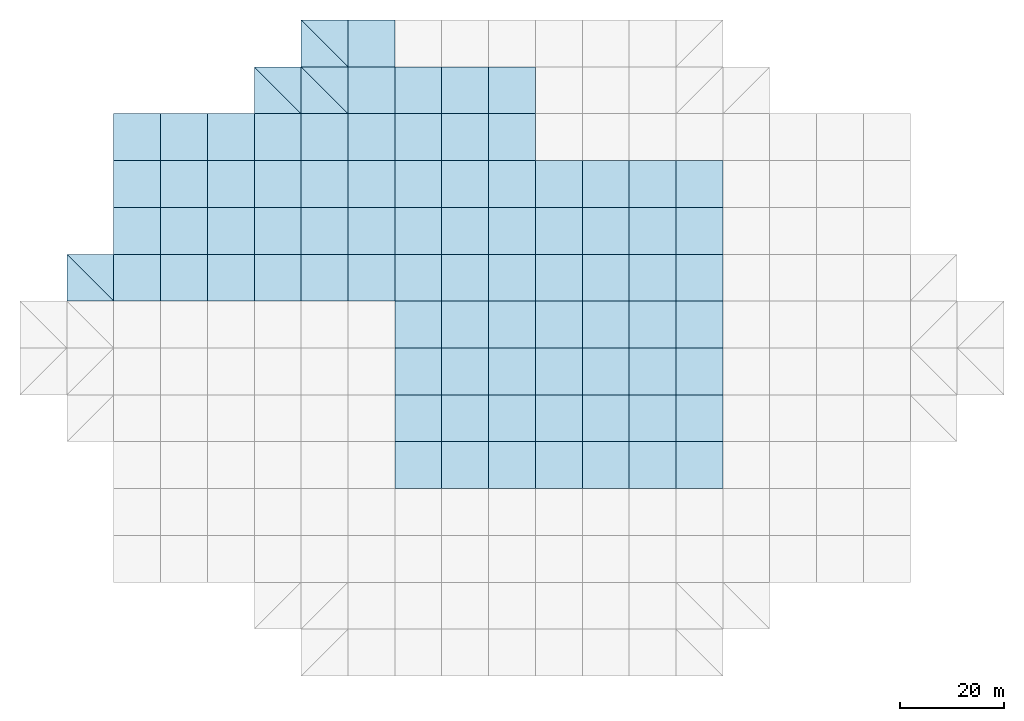
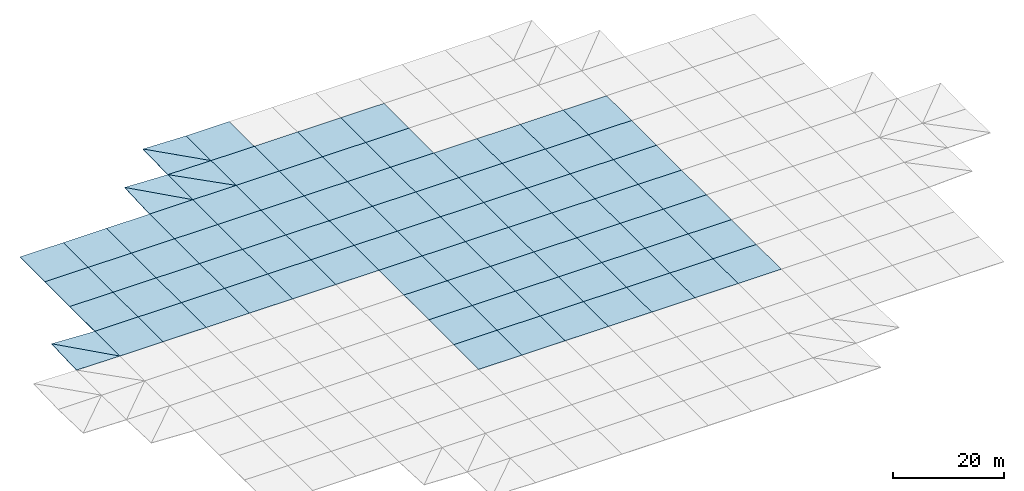
# One storey, part 2 of 3: 89 slabs.
"""IFC4 building model written with IfcOpenShell, lengths in metres."""

from ifc_helpers import new_model, si_unit, direction, frame, origin, place, context, subcontext, project, spatial, polyline, outline, extrude, material, layer, layer_set, type_object, element, save


model = new_model("IFC4")

# Units and contexts
model_context = context("Model", 3, precision=1e-05, world=origin(), true_north=direction((0.0, 1.0)))
body_context = subcontext(model_context, "Body", "Model", "MODEL_VIEW")
ifc_project = project(units=[si_unit("LENGTHUNIT", "METRE"), si_unit("AREAUNIT", "SQUARE_METRE"), si_unit("VOLUMEUNIT", "CUBIC_METRE"), si_unit("PLANEANGLEUNIT", "RADIAN"), si_unit("MASSUNIT", "GRAM", prefix="KILO")], contexts=[model_context])

# Site, building, storey
site_placement = place(None, origin())
site = spatial("IfcSite", under=ifc_project, at=site_placement, CompositionType="ELEMENT")
building_placement = place(site_placement, origin())
building = spatial("IfcBuilding", under=site, at=building_placement, Name="Opaline Strait Convention Centre", CompositionType="ELEMENT")
storey_placement = place(building_placement, frame((0.0, 0.0, 29.8798828125)))
storey = spatial("IfcBuildingStorey", under=building, at=storey_placement, Name="Roof Exhibition Block", CompositionType="ELEMENT", Elevation=29.8798828125)

# Slabs
ifc_material = material(Name="Steel Q235-B insulated roof panel", Category="steel")
ifc_layer = layer(ifc_material, 0.1201171875)
ifc_layer_set = layer_set([ifc_layer], Name="Steel Q235-B insulated roof panel")
slab_type = type_object("IfcSlabType", Name="Insulated roof panel 120 steel Q235B facings", PredefinedType="ROOF", material=ifc_layer_set)
slab_1_placement = place(storey_placement, origin())
element("IfcSlab", 1, at=slab_1_placement, inside=storey, type_object=slab_type, Name="EXB-RF-D-8-4", PredefinedType="ROOF", context=body_context, shape_type="SweptSolid", body=[
    extrude(outline(polyline([(157.5, 76.5), (166.5, 76.5), (166.5, 85.5), (157.5, 85.5), (157.5, 76.5)])), origin(), (0.0, 0.0, 1.0), 0.1201171875),
])
slab_2_placement = place(storey_placement, origin())
element("IfcSlab", 2, at=slab_2_placement, inside=storey, type_object=slab_type, Name="EXB-RF-D-9-4", PredefinedType="ROOF", context=body_context, shape_type="SweptSolid", body=[
    extrude(outline(polyline([(166.5, 76.5), (175.5, 76.5), (175.5, 85.5), (166.5, 85.5), (166.5, 76.5)])), origin(), (0.0, 0.0, 1.0), 0.1201171875),
])
slab_3_placement = place(storey_placement, origin())
element("IfcSlab", 3, at=slab_3_placement, inside=storey, type_object=slab_type, Name="EXB-RF-D-10-4", PredefinedType="ROOF", context=body_context, shape_type="SweptSolid", body=[
    extrude(outline(polyline([(175.5, 76.5), (184.5, 76.5), (184.5, 85.5), (175.5, 85.5), (175.5, 76.5)])), origin(), (0.0, 0.0, 1.0), 0.1201171875),
])
slab_4_placement = place(storey_placement, origin())
element("IfcSlab", 4, at=slab_4_placement, inside=storey, type_object=slab_type, Name="EXB-RF-D-11-4", PredefinedType="ROOF", context=body_context, shape_type="SweptSolid", body=[
    extrude(outline(polyline([(184.5, 76.5), (193.5, 76.5), (193.5, 85.5), (184.5, 85.5), (184.5, 76.5)])), origin(), (0.0, 0.0, 1.0), 0.1201171875),
])
slab_5_placement = place(storey_placement, origin())
element("IfcSlab", 5, at=slab_5_placement, inside=storey, type_object=slab_type, Name="EXB-RF-D-12-4", PredefinedType="ROOF", context=body_context, shape_type="SweptSolid", body=[
    extrude(outline(polyline([(193.5, 76.5), (202.5, 76.5), (202.5, 85.5), (193.5, 85.5), (193.5, 76.5)])), origin(), (0.0, 0.0, 1.0), 0.1201171875),
])
slab_6_placement = place(storey_placement, origin())
element("IfcSlab", 6, at=slab_6_placement, inside=storey, type_object=slab_type, Name="EXB-RF-D-13-4", PredefinedType="ROOF", context=body_context, shape_type="SweptSolid", body=[
    extrude(outline(polyline([(202.5, 76.5), (211.5, 76.5), (211.5, 85.5), (202.5, 85.5), (202.5, 76.5)])), origin(), (0.0, 0.0, 1.0), 0.1201171875),
])
slab_7_placement = place(storey_placement, origin())
element("IfcSlab", 7, at=slab_7_placement, inside=storey, type_object=slab_type, Name="EXB-RF-D-14-4", PredefinedType="ROOF", context=body_context, shape_type="SweptSolid", body=[
    extrude(outline(polyline([(211.5, 76.5), (220.5, 76.5), (220.5, 85.5), (211.5, 85.5), (211.5, 76.5)])), origin(), (0.0, 0.0, 1.0), 0.1201171875),
])
slab_8_placement = place(storey_placement, origin())
element("IfcSlab", 8, at=slab_8_placement, inside=storey, type_object=slab_type, Name="EXB-RF-D-8-5", PredefinedType="ROOF", context=body_context, shape_type="SweptSolid", body=[
    extrude(outline(polyline([(157.5, 85.5), (166.5, 85.5), (166.5, 94.5), (157.5, 94.5), (157.5, 85.5)])), origin(), (0.0, 0.0, 1.0), 0.1201171875),
])
slab_9_placement = place(storey_placement, origin())
element("IfcSlab", 9, at=slab_9_placement, inside=storey, type_object=slab_type, Name="EXB-RF-D-9-5", PredefinedType="ROOF", context=body_context, shape_type="SweptSolid", body=[
    extrude(outline(polyline([(166.5, 85.5), (175.5, 85.5), (175.5, 94.5), (166.5, 94.5), (166.5, 85.5)])), origin(), (0.0, 0.0, 1.0), 0.1201171875),
])
slab_10_placement = place(storey_placement, origin())
element("IfcSlab", 10, at=slab_10_placement, inside=storey, type_object=slab_type, Name="EXB-RF-D-10-5", PredefinedType="ROOF", context=body_context, shape_type="SweptSolid", body=[
    extrude(outline(polyline([(175.5, 85.5), (184.5, 85.5), (184.5, 94.5), (175.5, 94.5), (175.5, 85.5)])), origin(), (0.0, 0.0, 1.0), 0.1201171875),
])
slab_11_placement = place(storey_placement, origin())
element("IfcSlab", 11, at=slab_11_placement, inside=storey, type_object=slab_type, Name="EXB-RF-D-11-5", PredefinedType="ROOF", context=body_context, shape_type="SweptSolid", body=[
    extrude(outline(polyline([(184.5, 85.5), (193.5, 85.5), (193.5, 94.5), (184.5, 94.5), (184.5, 85.5)])), origin(), (0.0, 0.0, 1.0), 0.1201171875),
])
slab_12_placement = place(storey_placement, origin())
element("IfcSlab", 12, at=slab_12_placement, inside=storey, type_object=slab_type, Name="EXB-RF-D-12-5", PredefinedType="ROOF", context=body_context, shape_type="SweptSolid", body=[
    extrude(outline(polyline([(193.5, 85.5), (202.5, 85.5), (202.5, 94.5), (193.5, 94.5), (193.5, 85.5)])), origin(), (0.0, 0.0, 1.0), 0.1201171875),
])
slab_13_placement = place(storey_placement, origin())
element("IfcSlab", 13, at=slab_13_placement, inside=storey, type_object=slab_type, Name="EXB-RF-D-13-5", PredefinedType="ROOF", context=body_context, shape_type="SweptSolid", body=[
    extrude(outline(polyline([(202.5, 85.5), (211.5, 85.5), (211.5, 94.5), (202.5, 94.5), (202.5, 85.5)])), origin(), (0.0, 0.0, 1.0), 0.1201171875),
])
slab_14_placement = place(storey_placement, origin())
element("IfcSlab", 14, at=slab_14_placement, inside=storey, type_object=slab_type, Name="EXB-RF-D-14-5", PredefinedType="ROOF", context=body_context, shape_type="SweptSolid", body=[
    extrude(outline(polyline([(211.5, 85.5), (220.5, 85.5), (220.5, 94.5), (211.5, 94.5), (211.5, 85.5)])), origin(), (0.0, 0.0, 1.0), 0.1201171875),
])
slab_15_placement = place(storey_placement, origin())
element("IfcSlab", 15, at=slab_15_placement, inside=storey, type_object=slab_type, Name="EXB-RF-D-8-6", PredefinedType="ROOF", context=body_context, shape_type="SweptSolid", body=[
    extrude(outline(polyline([(157.5, 94.5), (166.5, 94.5), (166.5, 103.5), (157.5, 103.5), (157.5, 94.5)])), origin(), (0.0, 0.0, 1.0), 0.1201171875),
])
slab_16_placement = place(storey_placement, origin())
element("IfcSlab", 16, at=slab_16_placement, inside=storey, type_object=slab_type, Name="EXB-RF-D-9-6", PredefinedType="ROOF", context=body_context, shape_type="SweptSolid", body=[
    extrude(outline(polyline([(166.5, 94.5), (175.5, 94.5), (175.5, 103.5), (166.5, 103.5), (166.5, 94.5)])), origin(), (0.0, 0.0, 1.0), 0.1201171875),
])
slab_17_placement = place(storey_placement, origin())
element("IfcSlab", 17, at=slab_17_placement, inside=storey, type_object=slab_type, Name="EXB-RF-D-10-6", PredefinedType="ROOF", context=body_context, shape_type="SweptSolid", body=[
    extrude(outline(polyline([(175.5, 94.5), (184.5, 94.5), (184.5, 103.5), (175.5, 103.5), (175.5, 94.5)])), origin(), (0.0, 0.0, 1.0), 0.1201171875),
])
slab_18_placement = place(storey_placement, origin())
element("IfcSlab", 18, at=slab_18_placement, inside=storey, type_object=slab_type, Name="EXB-RF-D-11-6", PredefinedType="ROOF", context=body_context, shape_type="SweptSolid", body=[
    extrude(outline(polyline([(184.5, 94.5), (193.5, 94.5), (193.5, 103.5), (184.5, 103.5), (184.5, 94.5)])), origin(), (0.0, 0.0, 1.0), 0.1201171875),
])
slab_19_placement = place(storey_placement, origin())
element("IfcSlab", 19, at=slab_19_placement, inside=storey, type_object=slab_type, Name="EXB-RF-D-12-6", PredefinedType="ROOF", context=body_context, shape_type="SweptSolid", body=[
    extrude(outline(polyline([(193.5, 94.5), (202.5, 94.5), (202.5, 103.5), (193.5, 103.5), (193.5, 94.5)])), origin(), (0.0, 0.0, 1.0), 0.1201171875),
])
slab_20_placement = place(storey_placement, origin())
element("IfcSlab", 20, at=slab_20_placement, inside=storey, type_object=slab_type, Name="EXB-RF-D-13-6", PredefinedType="ROOF", context=body_context, shape_type="SweptSolid", body=[
    extrude(outline(polyline([(202.5, 94.5), (211.5, 94.5), (211.5, 103.5), (202.5, 103.5), (202.5, 94.5)])), origin(), (0.0, 0.0, 1.0), 0.1201171875),
])
slab_21_placement = place(storey_placement, origin())
element("IfcSlab", 21, at=slab_21_placement, inside=storey, type_object=slab_type, Name="EXB-RF-D-14-6", PredefinedType="ROOF", context=body_context, shape_type="SweptSolid", body=[
    extrude(outline(polyline([(211.5, 94.5), (220.5, 94.5), (220.5, 103.5), (211.5, 103.5), (211.5, 94.5)])), origin(), (0.0, 0.0, 1.0), 0.1201171875),
])
slab_22_placement = place(storey_placement, origin())
element("IfcSlab", 22, at=slab_22_placement, inside=storey, type_object=slab_type, Name="EXB-RF-D-8-7", PredefinedType="ROOF", context=body_context, shape_type="SweptSolid", body=[
    extrude(outline(polyline([(157.5, 103.5), (166.5, 103.5), (166.5, 112.5), (157.5, 112.5), (157.5, 103.5)])), origin(), (0.0, 0.0, 1.0), 0.1201171875),
])
slab_23_placement = place(storey_placement, origin())
element("IfcSlab", 23, at=slab_23_placement, inside=storey, type_object=slab_type, Name="EXB-RF-D-9-7", PredefinedType="ROOF", context=body_context, shape_type="SweptSolid", body=[
    extrude(outline(polyline([(166.5, 103.5), (175.5, 103.5), (175.5, 112.5), (166.5, 112.5), (166.5, 103.5)])), origin(), (0.0, 0.0, 1.0), 0.1201171875),
])
slab_24_placement = place(storey_placement, origin())
element("IfcSlab", 24, at=slab_24_placement, inside=storey, type_object=slab_type, Name="EXB-RF-D-10-7", PredefinedType="ROOF", context=body_context, shape_type="SweptSolid", body=[
    extrude(outline(polyline([(175.5, 103.5), (184.5, 103.5), (184.5, 112.5), (175.5, 112.5), (175.5, 103.5)])), origin(), (0.0, 0.0, 1.0), 0.1201171875),
])
slab_25_placement = place(storey_placement, origin())
element("IfcSlab", 25, at=slab_25_placement, inside=storey, type_object=slab_type, Name="EXB-RF-D-11-7", PredefinedType="ROOF", context=body_context, shape_type="SweptSolid", body=[
    extrude(outline(polyline([(184.5, 103.5), (193.5, 103.5), (193.5, 112.5), (184.5, 112.5), (184.5, 103.5)])), origin(), (0.0, 0.0, 1.0), 0.1201171875),
])
slab_26_placement = place(storey_placement, origin())
element("IfcSlab", 26, at=slab_26_placement, inside=storey, type_object=slab_type, Name="EXB-RF-D-12-7", PredefinedType="ROOF", context=body_context, shape_type="SweptSolid", body=[
    extrude(outline(polyline([(193.5, 103.5), (202.5, 103.5), (202.5, 112.5), (193.5, 112.5), (193.5, 103.5)])), origin(), (0.0, 0.0, 1.0), 0.1201171875),
])
slab_27_placement = place(storey_placement, origin())
element("IfcSlab", 27, at=slab_27_placement, inside=storey, type_object=slab_type, Name="EXB-RF-D-13-7", PredefinedType="ROOF", context=body_context, shape_type="SweptSolid", body=[
    extrude(outline(polyline([(202.5, 103.5), (211.5, 103.5), (211.5, 112.5), (202.5, 112.5), (202.5, 103.5)])), origin(), (0.0, 0.0, 1.0), 0.1201171875),
])
slab_28_placement = place(storey_placement, origin())
element("IfcSlab", 28, at=slab_28_placement, inside=storey, type_object=slab_type, Name="EXB-RF-D-14-7", PredefinedType="ROOF", context=body_context, shape_type="SweptSolid", body=[
    extrude(outline(polyline([(211.5, 103.5), (220.5, 103.5), (220.5, 112.5), (211.5, 112.5), (211.5, 103.5)])), origin(), (0.0, 0.0, 1.0), 0.1201171875),
])
slab_29_placement = place(storey_placement, frame((103.5, 112.5, 0.12060546875), z_axis=(0.044606164642, 0.0, 0.999004649677), x_axis=(0.0, 1.0, 0.0)))
element("IfcSlab", 29, at=slab_29_placement, inside=storey, type_object=slab_type, Name="EXB-RF-D-1-8a", PredefinedType="ROOF", context=body_context, shape_type="SweptSolid", body=[
    extrude(outline(polyline([(0.0, 0.0), (9.0, 0.0), (9.0, 9.008967078292844), (0.0, 0.0)])), origin(), (0.0, 0.0, -1.0), 0.1201171875),
])
slab_30_placement = place(storey_placement, frame((94.5, 112.5, 0.185791015625), z_axis=(0.00726469968, -0.037353567758, 0.999275705256), x_axis=(0.99997357485, 0.0, -0.007269773168)))
element("IfcSlab", 30, at=slab_30_placement, inside=storey, type_object=slab_type, Name="EXB-RF-D-1-8b", PredefinedType="ROOF", context=body_context, shape_type="SweptSolid", body=[
    extrude(outline(polyline([(0.0, 0.0), (9.000237832635666, 0.0), (-0.002445739117505599, 9.00628537881461), (0.0, 0.0)])), origin(), (0.0, 0.0, -1.0), 0.1201171875),
])
slab_31_placement = place(storey_placement, origin())
element("IfcSlab", 31, at=slab_31_placement, inside=storey, type_object=slab_type, Name="EXB-RF-D-2-8", PredefinedType="ROOF", context=body_context, shape_type="SweptSolid", body=[
    extrude(outline(polyline([(103.5, 112.5), (112.5, 112.5), (112.5, 121.5), (103.5, 121.5), (103.5, 112.5)])), origin(), (0.0, 0.0, 1.0), 0.1201171875),
])
slab_32_placement = place(storey_placement, origin())
element("IfcSlab", 32, at=slab_32_placement, inside=storey, type_object=slab_type, Name="EXB-RF-D-3-8", PredefinedType="ROOF", context=body_context, shape_type="SweptSolid", body=[
    extrude(outline(polyline([(112.5, 112.5), (121.5, 112.5), (121.5, 121.5), (112.5, 121.5), (112.5, 112.5)])), origin(), (0.0, 0.0, 1.0), 0.1201171875),
])
slab_33_placement = place(storey_placement, origin())
element("IfcSlab", 33, at=slab_33_placement, inside=storey, type_object=slab_type, Name="EXB-RF-D-4-8", PredefinedType="ROOF", context=body_context, shape_type="SweptSolid", body=[
    extrude(outline(polyline([(121.5, 112.5), (130.5, 112.5), (130.5, 121.5), (121.5, 121.5), (121.5, 112.5)])), origin(), (0.0, 0.0, 1.0), 0.1201171875),
])
slab_34_placement = place(storey_placement, origin())
element("IfcSlab", 34, at=slab_34_placement, inside=storey, type_object=slab_type, Name="EXB-RF-D-5-8", PredefinedType="ROOF", context=body_context, shape_type="SweptSolid", body=[
    extrude(outline(polyline([(130.5, 112.5), (139.5, 112.5), (139.5, 121.5), (130.5, 121.5), (130.5, 112.5)])), origin(), (0.0, 0.0, 1.0), 0.1201171875),
])
slab_35_placement = place(storey_placement, origin())
element("IfcSlab", 35, at=slab_35_placement, inside=storey, type_object=slab_type, Name="EXB-RF-D-6-8", PredefinedType="ROOF", context=body_context, shape_type="SweptSolid", body=[
    extrude(outline(polyline([(139.5, 112.5), (148.5, 112.5), (148.5, 121.5), (139.5, 121.5), (139.5, 112.5)])), origin(), (0.0, 0.0, 1.0), 0.1201171875),
])
slab_36_placement = place(storey_placement, origin())
element("IfcSlab", 36, at=slab_36_placement, inside=storey, type_object=slab_type, Name="EXB-RF-D-7-8", PredefinedType="ROOF", context=body_context, shape_type="SweptSolid", body=[
    extrude(outline(polyline([(148.5, 112.5), (157.5, 112.5), (157.5, 121.5), (148.5, 121.5), (148.5, 112.5)])), origin(), (0.0, 0.0, 1.0), 0.1201171875),
])
slab_37_placement = place(storey_placement, origin())
element("IfcSlab", 37, at=slab_37_placement, inside=storey, type_object=slab_type, Name="EXB-RF-D-8-8", PredefinedType="ROOF", context=body_context, shape_type="SweptSolid", body=[
    extrude(outline(polyline([(157.5, 112.5), (166.5, 112.5), (166.5, 121.5), (157.5, 121.5), (157.5, 112.5)])), origin(), (0.0, 0.0, 1.0), 0.1201171875),
])
slab_38_placement = place(storey_placement, origin())
element("IfcSlab", 38, at=slab_38_placement, inside=storey, type_object=slab_type, Name="EXB-RF-D-9-8", PredefinedType="ROOF", context=body_context, shape_type="SweptSolid", body=[
    extrude(outline(polyline([(166.5, 112.5), (175.5, 112.5), (175.5, 121.5), (166.5, 121.5), (166.5, 112.5)])), origin(), (0.0, 0.0, 1.0), 0.1201171875),
])
slab_39_placement = place(storey_placement, origin())
element("IfcSlab", 39, at=slab_39_placement, inside=storey, type_object=slab_type, Name="EXB-RF-D-10-8", PredefinedType="ROOF", context=body_context, shape_type="SweptSolid", body=[
    extrude(outline(polyline([(175.5, 112.5), (184.5, 112.5), (184.5, 121.5), (175.5, 121.5), (175.5, 112.5)])), origin(), (0.0, 0.0, 1.0), 0.1201171875),
])
slab_40_placement = place(storey_placement, origin())
element("IfcSlab", 40, at=slab_40_placement, inside=storey, type_object=slab_type, Name="EXB-RF-D-11-8", PredefinedType="ROOF", context=body_context, shape_type="SweptSolid", body=[
    extrude(outline(polyline([(184.5, 112.5), (193.5, 112.5), (193.5, 121.5), (184.5, 121.5), (184.5, 112.5)])), origin(), (0.0, 0.0, 1.0), 0.1201171875),
])
slab_41_placement = place(storey_placement, origin())
element("IfcSlab", 41, at=slab_41_placement, inside=storey, type_object=slab_type, Name="EXB-RF-D-12-8", PredefinedType="ROOF", context=body_context, shape_type="SweptSolid", body=[
    extrude(outline(polyline([(193.5, 112.5), (202.5, 112.5), (202.5, 121.5), (193.5, 121.5), (193.5, 112.5)])), origin(), (0.0, 0.0, 1.0), 0.1201171875),
])
slab_42_placement = place(storey_placement, origin())
element("IfcSlab", 42, at=slab_42_placement, inside=storey, type_object=slab_type, Name="EXB-RF-D-13-8", PredefinedType="ROOF", context=body_context, shape_type="SweptSolid", body=[
    extrude(outline(polyline([(202.5, 112.5), (211.5, 112.5), (211.5, 121.5), (202.5, 121.5), (202.5, 112.5)])), origin(), (0.0, 0.0, 1.0), 0.1201171875),
])
slab_43_placement = place(storey_placement, origin())
element("IfcSlab", 43, at=slab_43_placement, inside=storey, type_object=slab_type, Name="EXB-RF-D-14-8", PredefinedType="ROOF", context=body_context, shape_type="SweptSolid", body=[
    extrude(outline(polyline([(211.5, 112.5), (220.5, 112.5), (220.5, 121.5), (211.5, 121.5), (211.5, 112.5)])), origin(), (0.0, 0.0, 1.0), 0.1201171875),
])
slab_44_placement = place(storey_placement, origin())
element("IfcSlab", 44, at=slab_44_placement, inside=storey, type_object=slab_type, Name="EXB-RF-D-2-9", PredefinedType="ROOF", context=body_context, shape_type="SweptSolid", body=[
    extrude(outline(polyline([(103.5, 121.5), (112.5, 121.5), (112.5, 130.5), (103.5, 130.5), (103.5, 121.5)])), origin(), (0.0, 0.0, 1.0), 0.1201171875),
])
slab_45_placement = place(storey_placement, origin())
element("IfcSlab", 45, at=slab_45_placement, inside=storey, type_object=slab_type, Name="EXB-RF-D-3-9", PredefinedType="ROOF", context=body_context, shape_type="SweptSolid", body=[
    extrude(outline(polyline([(112.5, 121.5), (121.5, 121.5), (121.5, 130.5), (112.5, 130.5), (112.5, 121.5)])), origin(), (0.0, 0.0, 1.0), 0.1201171875),
])
slab_46_placement = place(storey_placement, origin())
element("IfcSlab", 46, at=slab_46_placement, inside=storey, type_object=slab_type, Name="EXB-RF-D-4-9", PredefinedType="ROOF", context=body_context, shape_type="SweptSolid", body=[
    extrude(outline(polyline([(121.5, 121.5), (130.5, 121.5), (130.5, 130.5), (121.5, 130.5), (121.5, 121.5)])), origin(), (0.0, 0.0, 1.0), 0.1201171875),
])
slab_47_placement = place(storey_placement, origin())
element("IfcSlab", 47, at=slab_47_placement, inside=storey, type_object=slab_type, Name="EXB-RF-D-5-9", PredefinedType="ROOF", context=body_context, shape_type="SweptSolid", body=[
    extrude(outline(polyline([(130.5, 121.5), (139.5, 121.5), (139.5, 130.5), (130.5, 130.5), (130.5, 121.5)])), origin(), (0.0, 0.0, 1.0), 0.1201171875),
])
slab_48_placement = place(storey_placement, origin())
element("IfcSlab", 48, at=slab_48_placement, inside=storey, type_object=slab_type, Name="EXB-RF-D-6-9", PredefinedType="ROOF", context=body_context, shape_type="SweptSolid", body=[
    extrude(outline(polyline([(139.5, 121.5), (148.5, 121.5), (148.5, 130.5), (139.5, 130.5), (139.5, 121.5)])), origin(), (0.0, 0.0, 1.0), 0.1201171875),
])
slab_49_placement = place(storey_placement, origin())
element("IfcSlab", 49, at=slab_49_placement, inside=storey, type_object=slab_type, Name="EXB-RF-D-7-9", PredefinedType="ROOF", context=body_context, shape_type="SweptSolid", body=[
    extrude(outline(polyline([(148.5, 121.5), (157.5, 121.5), (157.5, 130.5), (148.5, 130.5), (148.5, 121.5)])), origin(), (0.0, 0.0, 1.0), 0.1201171875),
])
slab_50_placement = place(storey_placement, origin())
element("IfcSlab", 50, at=slab_50_placement, inside=storey, type_object=slab_type, Name="EXB-RF-D-8-9", PredefinedType="ROOF", context=body_context, shape_type="SweptSolid", body=[
    extrude(outline(polyline([(157.5, 121.5), (166.5, 121.5), (166.5, 130.5), (157.5, 130.5), (157.5, 121.5)])), origin(), (0.0, 0.0, 1.0), 0.1201171875),
])
slab_51_placement = place(storey_placement, origin())
element("IfcSlab", 51, at=slab_51_placement, inside=storey, type_object=slab_type, Name="EXB-RF-D-9-9", PredefinedType="ROOF", context=body_context, shape_type="SweptSolid", body=[
    extrude(outline(polyline([(166.5, 121.5), (175.5, 121.5), (175.5, 130.5), (166.5, 130.5), (166.5, 121.5)])), origin(), (0.0, 0.0, 1.0), 0.1201171875),
])
slab_52_placement = place(storey_placement, origin())
element("IfcSlab", 52, at=slab_52_placement, inside=storey, type_object=slab_type, Name="EXB-RF-D-10-9", PredefinedType="ROOF", context=body_context, shape_type="SweptSolid", body=[
    extrude(outline(polyline([(175.5, 121.5), (184.5, 121.5), (184.5, 130.5), (175.5, 130.5), (175.5, 121.5)])), origin(), (0.0, 0.0, 1.0), 0.1201171875),
])
slab_53_placement = place(storey_placement, origin())
element("IfcSlab", 53, at=slab_53_placement, inside=storey, type_object=slab_type, Name="EXB-RF-D-11-9", PredefinedType="ROOF", context=body_context, shape_type="SweptSolid", body=[
    extrude(outline(polyline([(184.5, 121.5), (193.5, 121.5), (193.5, 130.5), (184.5, 130.5), (184.5, 121.5)])), origin(), (0.0, 0.0, 1.0), 0.1201171875),
])
slab_54_placement = place(storey_placement, origin())
element("IfcSlab", 54, at=slab_54_placement, inside=storey, type_object=slab_type, Name="EXB-RF-D-12-9", PredefinedType="ROOF", context=body_context, shape_type="SweptSolid", body=[
    extrude(outline(polyline([(193.5, 121.5), (202.5, 121.5), (202.5, 130.5), (193.5, 130.5), (193.5, 121.5)])), origin(), (0.0, 0.0, 1.0), 0.1201171875),
])
slab_55_placement = place(storey_placement, origin())
element("IfcSlab", 55, at=slab_55_placement, inside=storey, type_object=slab_type, Name="EXB-RF-D-13-9", PredefinedType="ROOF", context=body_context, shape_type="SweptSolid", body=[
    extrude(outline(polyline([(202.5, 121.5), (211.5, 121.5), (211.5, 130.5), (202.5, 130.5), (202.5, 121.5)])), origin(), (0.0, 0.0, 1.0), 0.1201171875),
])
slab_56_placement = place(storey_placement, origin())
element("IfcSlab", 56, at=slab_56_placement, inside=storey, type_object=slab_type, Name="EXB-RF-D-14-9", PredefinedType="ROOF", context=body_context, shape_type="SweptSolid", body=[
    extrude(outline(polyline([(211.5, 121.5), (220.5, 121.5), (220.5, 130.5), (211.5, 130.5), (211.5, 121.5)])), origin(), (0.0, 0.0, 1.0), 0.1201171875),
])
slab_57_placement = place(storey_placement, origin())
element("IfcSlab", 57, at=slab_57_placement, inside=storey, type_object=slab_type, Name="EXB-RF-D-2-10", PredefinedType="ROOF", context=body_context, shape_type="SweptSolid", body=[
    extrude(outline(polyline([(103.5, 130.5), (112.5, 130.5), (112.5, 139.5), (103.5, 139.5), (103.5, 130.5)])), origin(), (0.0, 0.0, 1.0), 0.1201171875),
])
slab_58_placement = place(storey_placement, origin())
element("IfcSlab", 58, at=slab_58_placement, inside=storey, type_object=slab_type, Name="EXB-RF-D-3-10", PredefinedType="ROOF", context=body_context, shape_type="SweptSolid", body=[
    extrude(outline(polyline([(112.5, 130.5), (121.5, 130.5), (121.5, 139.5), (112.5, 139.5), (112.5, 130.5)])), origin(), (0.0, 0.0, 1.0), 0.1201171875),
])
slab_59_placement = place(storey_placement, origin())
element("IfcSlab", 59, at=slab_59_placement, inside=storey, type_object=slab_type, Name="EXB-RF-D-4-10", PredefinedType="ROOF", context=body_context, shape_type="SweptSolid", body=[
    extrude(outline(polyline([(121.5, 130.5), (130.5, 130.5), (130.5, 139.5), (121.5, 139.5), (121.5, 130.5)])), origin(), (0.0, 0.0, 1.0), 0.1201171875),
])
slab_60_placement = place(storey_placement, origin())
element("IfcSlab", 60, at=slab_60_placement, inside=storey, type_object=slab_type, Name="EXB-RF-D-5-10", PredefinedType="ROOF", context=body_context, shape_type="SweptSolid", body=[
    extrude(outline(polyline([(130.5, 130.5), (139.5, 130.5), (139.5, 139.5), (130.5, 139.5), (130.5, 130.5)])), origin(), (0.0, 0.0, 1.0), 0.1201171875),
])
slab_61_placement = place(storey_placement, origin())
element("IfcSlab", 61, at=slab_61_placement, inside=storey, type_object=slab_type, Name="EXB-RF-D-6-10", PredefinedType="ROOF", context=body_context, shape_type="SweptSolid", body=[
    extrude(outline(polyline([(139.5, 130.5), (148.5, 130.5), (148.5, 139.5), (139.5, 139.5), (139.5, 130.5)])), origin(), (0.0, 0.0, 1.0), 0.1201171875),
])
slab_62_placement = place(storey_placement, origin())
element("IfcSlab", 62, at=slab_62_placement, inside=storey, type_object=slab_type, Name="EXB-RF-D-7-10", PredefinedType="ROOF", context=body_context, shape_type="SweptSolid", body=[
    extrude(outline(polyline([(148.5, 130.5), (157.5, 130.5), (157.5, 139.5), (148.5, 139.5), (148.5, 130.5)])), origin(), (0.0, 0.0, 1.0), 0.1201171875),
])
slab_63_placement = place(storey_placement, origin())
element("IfcSlab", 63, at=slab_63_placement, inside=storey, type_object=slab_type, Name="EXB-RF-D-8-10", PredefinedType="ROOF", context=body_context, shape_type="SweptSolid", body=[
    extrude(outline(polyline([(157.5, 130.5), (166.5, 130.5), (166.5, 139.5), (157.5, 139.5), (157.5, 130.5)])), origin(), (0.0, 0.0, 1.0), 0.1201171875),
])
slab_64_placement = place(storey_placement, origin())
element("IfcSlab", 64, at=slab_64_placement, inside=storey, type_object=slab_type, Name="EXB-RF-D-9-10", PredefinedType="ROOF", context=body_context, shape_type="SweptSolid", body=[
    extrude(outline(polyline([(166.5, 130.5), (175.5, 130.5), (175.5, 139.5), (166.5, 139.5), (166.5, 130.5)])), origin(), (0.0, 0.0, 1.0), 0.1201171875),
])
slab_65_placement = place(storey_placement, origin())
element("IfcSlab", 65, at=slab_65_placement, inside=storey, type_object=slab_type, Name="EXB-RF-D-10-10", PredefinedType="ROOF", context=body_context, shape_type="SweptSolid", body=[
    extrude(outline(polyline([(175.5, 130.5), (184.5, 130.5), (184.5, 139.5), (175.5, 139.5), (175.5, 130.5)])), origin(), (0.0, 0.0, 1.0), 0.1201171875),
])
slab_66_placement = place(storey_placement, origin())
element("IfcSlab", 66, at=slab_66_placement, inside=storey, type_object=slab_type, Name="EXB-RF-D-11-10", PredefinedType="ROOF", context=body_context, shape_type="SweptSolid", body=[
    extrude(outline(polyline([(184.5, 130.5), (193.5, 130.5), (193.5, 139.5), (184.5, 139.5), (184.5, 130.5)])), origin(), (0.0, 0.0, 1.0), 0.1201171875),
])
slab_67_placement = place(storey_placement, origin())
element("IfcSlab", 67, at=slab_67_placement, inside=storey, type_object=slab_type, Name="EXB-RF-D-12-10", PredefinedType="ROOF", context=body_context, shape_type="SweptSolid", body=[
    extrude(outline(polyline([(193.5, 130.5), (202.5, 130.5), (202.5, 139.5), (193.5, 139.5), (193.5, 130.5)])), origin(), (0.0, 0.0, 1.0), 0.1201171875),
])
slab_68_placement = place(storey_placement, origin())
element("IfcSlab", 68, at=slab_68_placement, inside=storey, type_object=slab_type, Name="EXB-RF-D-13-10", PredefinedType="ROOF", context=body_context, shape_type="SweptSolid", body=[
    extrude(outline(polyline([(202.5, 130.5), (211.5, 130.5), (211.5, 139.5), (202.5, 139.5), (202.5, 130.5)])), origin(), (0.0, 0.0, 1.0), 0.1201171875),
])
slab_69_placement = place(storey_placement, origin())
element("IfcSlab", 69, at=slab_69_placement, inside=storey, type_object=slab_type, Name="EXB-RF-D-14-10", PredefinedType="ROOF", context=body_context, shape_type="SweptSolid", body=[
    extrude(outline(polyline([(211.5, 130.5), (220.5, 130.5), (220.5, 139.5), (211.5, 139.5), (211.5, 130.5)])), origin(), (0.0, 0.0, 1.0), 0.1201171875),
])
slab_70_placement = place(storey_placement, origin())
element("IfcSlab", 70, at=slab_70_placement, inside=storey, type_object=slab_type, Name="EXB-RF-D-2-11", PredefinedType="ROOF", context=body_context, shape_type="SweptSolid", body=[
    extrude(outline(polyline([(103.5, 139.5), (112.5, 139.5), (112.5, 148.5), (103.5, 148.5), (103.5, 139.5)])), origin(), (0.0, 0.0, 1.0), 0.1201171875),
])
slab_71_placement = place(storey_placement, origin())
element("IfcSlab", 71, at=slab_71_placement, inside=storey, type_object=slab_type, Name="EXB-RF-D-3-11", PredefinedType="ROOF", context=body_context, shape_type="SweptSolid", body=[
    extrude(outline(polyline([(112.5, 139.5), (121.5, 139.5), (121.5, 148.5), (112.5, 148.5), (112.5, 139.5)])), origin(), (0.0, 0.0, 1.0), 0.1201171875),
])
slab_72_placement = place(storey_placement, origin())
element("IfcSlab", 72, at=slab_72_placement, inside=storey, type_object=slab_type, Name="EXB-RF-D-4-11", PredefinedType="ROOF", context=body_context, shape_type="SweptSolid", body=[
    extrude(outline(polyline([(121.5, 139.5), (130.5, 139.5), (130.5, 148.5), (121.5, 148.5), (121.5, 139.5)])), origin(), (0.0, 0.0, 1.0), 0.1201171875),
])
slab_73_placement = place(storey_placement, origin())
element("IfcSlab", 73, at=slab_73_placement, inside=storey, type_object=slab_type, Name="EXB-RF-D-5-11", PredefinedType="ROOF", context=body_context, shape_type="SweptSolid", body=[
    extrude(outline(polyline([(130.5, 139.5), (139.5, 139.5), (139.5, 148.5), (130.5, 148.5), (130.5, 139.5)])), origin(), (0.0, 0.0, 1.0), 0.1201171875),
])
slab_74_placement = place(storey_placement, origin())
element("IfcSlab", 74, at=slab_74_placement, inside=storey, type_object=slab_type, Name="EXB-RF-D-6-11", PredefinedType="ROOF", context=body_context, shape_type="SweptSolid", body=[
    extrude(outline(polyline([(139.5, 139.5), (148.5, 139.5), (148.5, 148.5), (139.5, 148.5), (139.5, 139.5)])), origin(), (0.0, 0.0, 1.0), 0.1201171875),
])
slab_75_placement = place(storey_placement, origin())
element("IfcSlab", 75, at=slab_75_placement, inside=storey, type_object=slab_type, Name="EXB-RF-D-7-11", PredefinedType="ROOF", context=body_context, shape_type="SweptSolid", body=[
    extrude(outline(polyline([(148.5, 139.5), (157.5, 139.5), (157.5, 148.5), (148.5, 148.5), (148.5, 139.5)])), origin(), (0.0, 0.0, 1.0), 0.1201171875),
])
slab_76_placement = place(storey_placement, origin())
element("IfcSlab", 76, at=slab_76_placement, inside=storey, type_object=slab_type, Name="EXB-RF-D-8-11", PredefinedType="ROOF", context=body_context, shape_type="SweptSolid", body=[
    extrude(outline(polyline([(157.5, 139.5), (166.5, 139.5), (166.5, 148.5), (157.5, 148.5), (157.5, 139.5)])), origin(), (0.0, 0.0, 1.0), 0.1201171875),
])
slab_77_placement = place(storey_placement, origin())
element("IfcSlab", 77, at=slab_77_placement, inside=storey, type_object=slab_type, Name="EXB-RF-D-9-11", PredefinedType="ROOF", context=body_context, shape_type="SweptSolid", body=[
    extrude(outline(polyline([(166.5, 139.5), (175.5, 139.5), (175.5, 148.5), (166.5, 148.5), (166.5, 139.5)])), origin(), (0.0, 0.0, 1.0), 0.1201171875),
])
slab_78_placement = place(storey_placement, origin())
element("IfcSlab", 78, at=slab_78_placement, inside=storey, type_object=slab_type, Name="EXB-RF-D-10-11", PredefinedType="ROOF", context=body_context, shape_type="SweptSolid", body=[
    extrude(outline(polyline([(175.5, 139.5), (184.5, 139.5), (184.5, 148.5), (175.5, 148.5), (175.5, 139.5)])), origin(), (0.0, 0.0, 1.0), 0.1201171875),
])
slab_79_placement = place(storey_placement, frame((139.5, 148.5, 0.120361328125), z_axis=(0.037353567758, -0.00726469968, 0.999275705256), x_axis=(0.0, 0.99997357485, 0.007269773168)))
element("IfcSlab", 79, at=slab_79_placement, inside=storey, type_object=slab_type, Name="EXB-RF-D-5-12a", PredefinedType="ROOF", context=body_context, shape_type="SweptSolid", body=[
    extrude(outline(polyline([(0.0, 0.0), (9.000237832635666, 0.0), (9.002683571753172, 9.00628537881461), (0.0, 0.0)])), origin(), (0.0, 0.0, -1.0), 0.1201171875),
])
slab_80_placement = place(storey_placement, frame((130.5, 148.5, 0.120361328125), z_axis=(0.0, -0.044606164642, 0.999004649677), x_axis=(1.0, 0.0, 0.0)))
element("IfcSlab", 80, at=slab_80_placement, inside=storey, type_object=slab_type, Name="EXB-RF-D-5-12b", PredefinedType="ROOF", context=body_context, shape_type="SweptSolid", body=[
    extrude(outline(polyline([(0.0, 0.0), (9.0, 0.0), (0.0, 9.008967078292844), (0.0, 0.0)])), origin(), (0.0, 0.0, -1.0), 0.1201171875),
])
slab_81_placement = place(storey_placement, frame((148.5, 148.5, 0.1201171875), z_axis=(0.007269773168, 0.0, 0.99997357485), x_axis=(0.0, 1.0, 0.0)))
element("IfcSlab", 81, at=slab_81_placement, inside=storey, type_object=slab_type, Name="EXB-RF-D-6-12a", PredefinedType="ROOF", context=body_context, shape_type="SweptSolid", body=[
    extrude(outline(polyline([(0.0, 0.0), (9.0, 0.0), (9.0, 9.000237832635666), (0.0, 0.0)])), origin(), (0.0, 0.0, -1.0), 0.1201171875),
])
slab_82_placement = place(storey_placement, frame((139.5, 148.5, 0.1201171875), z_axis=(0.0, -0.007269773168, 0.99997357485), x_axis=(1.0, 0.0, 0.0)))
element("IfcSlab", 82, at=slab_82_placement, inside=storey, type_object=slab_type, Name="EXB-RF-D-6-12b", PredefinedType="ROOF", context=body_context, shape_type="SweptSolid", body=[
    extrude(outline(polyline([(0.0, 0.0), (9.0, 0.0), (0.0, 9.000237832635666), (0.0, 0.0)])), origin(), (0.0, 0.0, -1.0), 0.1201171875),
])
slab_83_placement = place(storey_placement, origin())
element("IfcSlab", 83, at=slab_83_placement, inside=storey, type_object=slab_type, Name="EXB-RF-D-7-12", PredefinedType="ROOF", context=body_context, shape_type="SweptSolid", body=[
    extrude(outline(polyline([(148.5, 148.5), (157.5, 148.5), (157.5, 157.5), (148.5, 157.5), (148.5, 148.5)])), origin(), (0.0, 0.0, 1.0), 0.1201171875),
])
slab_84_placement = place(storey_placement, origin())
element("IfcSlab", 84, at=slab_84_placement, inside=storey, type_object=slab_type, Name="EXB-RF-D-8-12", PredefinedType="ROOF", context=body_context, shape_type="SweptSolid", body=[
    extrude(outline(polyline([(157.5, 148.5), (166.5, 148.5), (166.5, 157.5), (157.5, 157.5), (157.5, 148.5)])), origin(), (0.0, 0.0, 1.0), 0.1201171875),
])
slab_85_placement = place(storey_placement, origin())
element("IfcSlab", 85, at=slab_85_placement, inside=storey, type_object=slab_type, Name="EXB-RF-D-9-12", PredefinedType="ROOF", context=body_context, shape_type="SweptSolid", body=[
    extrude(outline(polyline([(166.5, 148.5), (175.5, 148.5), (175.5, 157.5), (166.5, 157.5), (166.5, 148.5)])), origin(), (0.0, 0.0, 1.0), 0.1201171875),
])
slab_86_placement = place(storey_placement, origin())
element("IfcSlab", 86, at=slab_86_placement, inside=storey, type_object=slab_type, Name="EXB-RF-D-10-12", PredefinedType="ROOF", context=body_context, shape_type="SweptSolid", body=[
    extrude(outline(polyline([(175.5, 148.5), (184.5, 148.5), (184.5, 157.5), (175.5, 157.5), (175.5, 148.5)])), origin(), (0.0, 0.0, 1.0), 0.1201171875),
])
slab_87_placement = place(storey_placement, frame((148.5, 157.5, 0.120361328125), z_axis=(0.028065112591, 0.0, 0.999606097148), x_axis=(0.0, 1.0, 0.0)))
element("IfcSlab", 87, at=slab_87_placement, inside=storey, type_object=slab_type, Name="EXB-RF-D-6-13a", PredefinedType="ROOF", context=body_context, shape_type="SweptSolid", body=[
    extrude(outline(polyline([(0.0, 0.0), (9.0, 0.0), (9.0, 9.003546522654254), (0.0, 0.0)])), origin(), (0.0, 0.0, -1.0), 0.1201171875),
])
slab_88_placement = place(storey_placement, frame((139.5, 157.5, 0.185546875), z_axis=(0.007268200226, -0.020801155124, 0.999757213133), x_axis=(0.99997357485, 0.0, -0.007269773168)))
element("IfcSlab", 88, at=slab_88_placement, inside=storey, type_object=slab_type, Name="EXB-RF-D-6-13b", PredefinedType="ROOF", context=body_context, shape_type="SweptSolid", body=[
    extrude(outline(polyline([(0.0, 0.0), (9.000237832635666, 0.0), (-0.0013613076220078334, 9.00194772833701), (0.0, 0.0)])), origin(), (0.0, 0.0, -1.0), 0.1201171875),
])
slab_89_placement = place(storey_placement, origin())
element("IfcSlab", 89, at=slab_89_placement, inside=storey, type_object=slab_type, Name="EXB-RF-D-7-13", PredefinedType="ROOF", context=body_context, shape_type="SweptSolid", body=[
    extrude(outline(polyline([(148.5, 157.5), (157.5, 157.5), (157.5, 166.5), (148.5, 166.5), (148.5, 157.5)])), origin(), (0.0, 0.0, 1.0), 0.1201171875),
])

save(model, "model.ifc")
